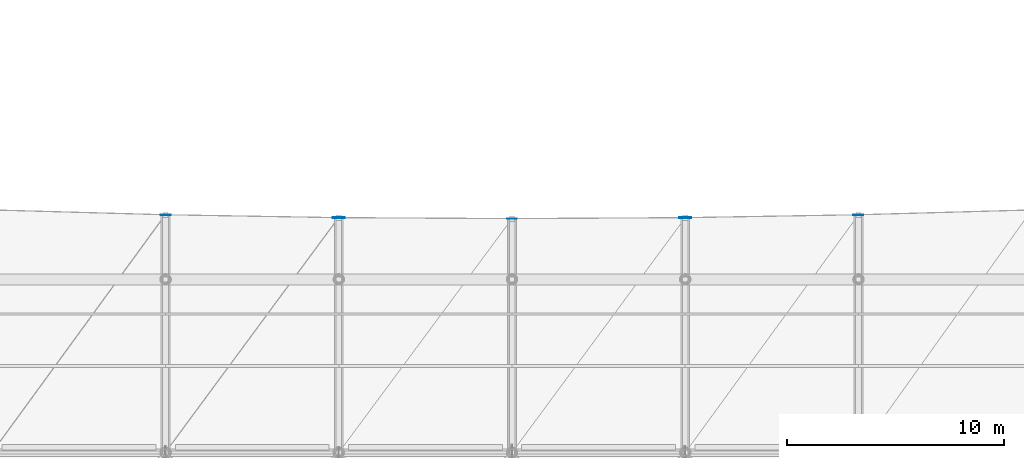
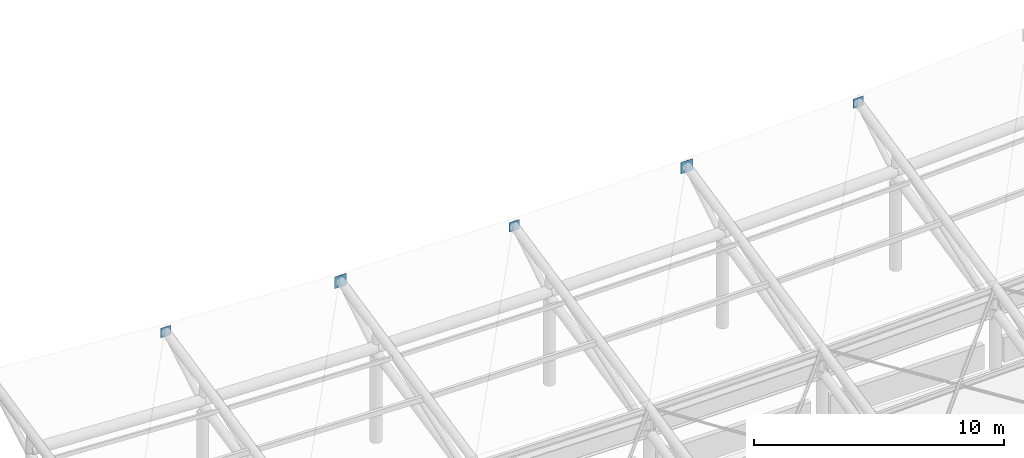
# One storey, part 48 of 78: 5 plates.
"""IFC4 building model written with IfcOpenShell, lengths in metres."""

from ifc_helpers import new_model, si_unit, direction, frame, origin, origin_2d, place, context, subcontext, project, spatial, rectangle, extrude, material, layer, layer_set, type_object, element, save


model = new_model("IFC4")

# Units and contexts
model_context = context("Model", 3, precision=1e-05, world=origin(), true_north=direction((0.0, 1.0)))
body_context = subcontext(model_context, "Body", "Model", "MODEL_VIEW")
ifc_project = project(units=[si_unit("LENGTHUNIT", "METRE"), si_unit("AREAUNIT", "SQUARE_METRE"), si_unit("VOLUMEUNIT", "CUBIC_METRE"), si_unit("PLANEANGLEUNIT", "RADIAN"), si_unit("MASSUNIT", "GRAM", prefix="KILO")], contexts=[model_context])

# Site, building, storey
site_placement = place(None, origin())
site = spatial("IfcSite", under=ifc_project, at=site_placement, CompositionType="ELEMENT")
building_placement = place(site_placement, origin())
building = spatial("IfcBuilding", under=site, at=building_placement, Name="Haebicheon Civic Stadium", CompositionType="ELEMENT")
storey_placement = place(building_placement, frame((0.0, 0.0, 18.60009765625)))
storey = spatial("IfcBuildingStorey", under=building, at=storey_placement, Name="L05", CompositionType="ELEMENT", Elevation=18.60009765625)

# Plates
ifc_material_1 = material(Name="White painted steel SM490", Category="steel")
ifc_layer_1 = layer(ifc_material_1, 0.02001953125, Name="White painted steel SM490")
ifc_layer_set_1 = layer_set([ifc_layer_1], Name="White painted steel SM490")
plate_type_1 = type_object("IfcPlateType", Name="PLT-CAP-20", PredefinedType="SHEET", material=ifc_layer_set_1)
for number, where, z_axis, x_axis, name in (
    (1, (88.0, 42.97802734375, 6.06982421875), (0.0, 0.0, 1.0), (-1.0, 0.0, 0.0), "CAN-SOUTH tip end-cap plate 2"),
    (2, (104.0, 42.800048828125, 5.739013671875), (0.0, 0.0, 1.0), (-1.0, 0.0, 0.0), "CAN-SOUTH tip end-cap plate 4"),
    (3, (120.0, 42.97802734375, 6.06982421875), (0.0, 0.0, 1.0), (-1.0, 0.0, 0.0), "CAN-SOUTH tip end-cap plate 6"),
):
    element("IfcPlate", number, at=place(storey_placement, frame(where, z_axis=z_axis, x_axis=x_axis)), inside=storey, type_object=plate_type_1, material=ifc_layer_set_1, Name=name, PredefinedType="SHEET", context=body_context, shape_type="SweptSolid", body=[
        extrude(rectangle(XDim=0.4599609375, YDim=0.02001953125, at=origin_2d()), origin(), (0.0, 0.0, 1.0), 0.4599609375),
    ])
ifc_material_2 = material(Name="White painted steel SM490", Category="steel")
ifc_layer_2 = layer(ifc_material_2, 0.02587890625, Name="White painted steel SM490")
ifc_layer_set_2 = layer_set([ifc_layer_2], Name="White painted steel SM490")
plate_type_2 = type_object("IfcPlateType", Name="PLT-CAP-26", PredefinedType="SHEET", material=ifc_layer_set_2)
for number, where, z_axis, x_axis, name in (
    (4, (96.0, 42.843994140625, 5.770751953125), (0.0, 0.0, 1.0), (-1.0, 0.0, 0.0), "CAN-SOUTH tip end-cap plate 3"),
    (5, (112.0, 42.843994140625, 5.770751953125), (0.0, 0.0, 1.0), (-1.0, 0.0, 0.0), "CAN-SOUTH tip end-cap plate 5"),
):
    element("IfcPlate", number, at=place(storey_placement, frame(where, z_axis=z_axis, x_axis=x_axis)), inside=storey, type_object=plate_type_2, material=ifc_layer_set_2, Name=name, PredefinedType="SHEET", context=body_context, shape_type="SweptSolid", body=[
        extrude(rectangle(XDim=0.56005859375, YDim=0.02587890625, at=origin_2d()), origin(), (0.0, 0.0, 1.0), 0.56005859375),
    ])

save(model, "model.ifc")
